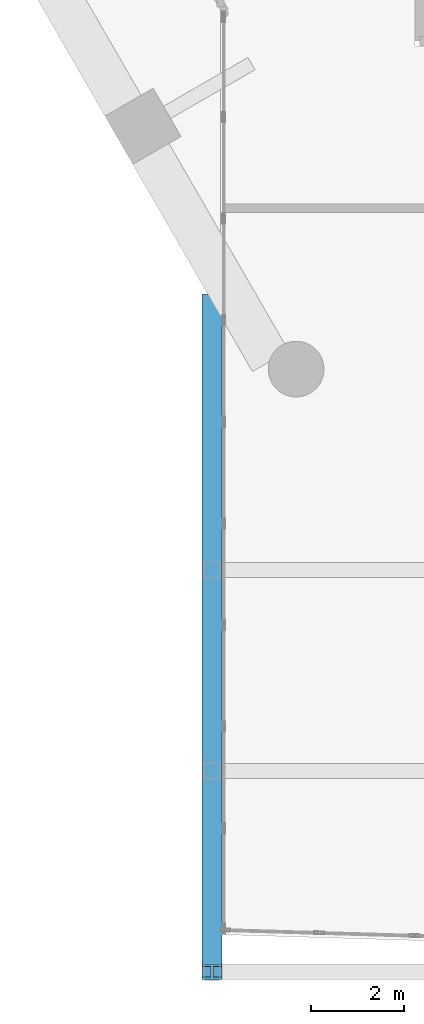
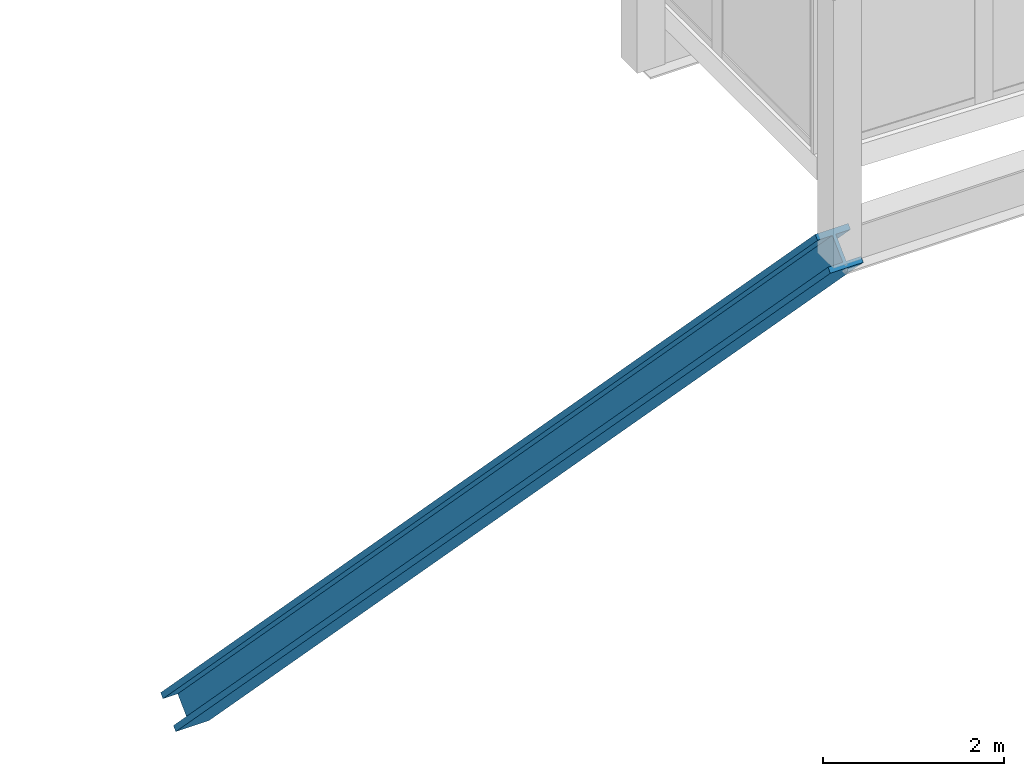
# One storey, part 3 of 37: 1 member.
"""IFC4 building model written with IfcOpenShell, lengths in metres."""

import ifcopenshell
import ifcopenshell.guid

model = None  # the IFC model being written
_history = None  # IfcOwnerHistory: only IFC2X3 demands one
_inside = {}  # id of a spatial element -> (the spatial element, [elements in it])
_under = {}  # id of a project, library or spatial element -> (it, [spatial elements below it])
_declared = {}  # id of a project -> (the project, [libraries it declares])
_typed = {}  # id of a type object -> (the type object, [elements of that type])
_made_of = {}  # id of a material, layer set ... -> (it, [elements and type objects made of it])


def new_model(schema):
    """Start an empty IFC model of exactly this schema.

    Asked for "IFC4X3", IfcOpenShell would pick the latest addendum, in which some entities
    have other attributes; the version numbers below select the first issue.
    IFC2X3 requires an IfcOwnerHistory on every rooted entity: one is made here for all.
    """
    global model, _history
    if schema == "IFC4X3":
        model = ifcopenshell.file(schema_version=(4, 3, 0, 0))
    else:
        model = ifcopenshell.file(schema=schema)
    _inside.clear()
    _under.clear()
    _declared.clear()
    _typed.clear()
    _made_of.clear()
    _history = None
    if model.schema == "IFC2X3":
        org = make("IfcOrganization", Name="unknown")
        user = make(
            "IfcPersonAndOrganization",
            ThePerson=make("IfcPerson", FamilyName="unknown"),
            TheOrganization=org,
        )
        app = make(
            "IfcApplication",
            ApplicationDeveloper=org,
            Version="unknown",
            ApplicationFullName="unknown",
            ApplicationIdentifier="unknown",
        )
        _history = make(
            "IfcOwnerHistory",
            OwningUser=user,
            OwningApplication=app,
            ChangeAction="ADDED",
            CreationDate=0,
        )
    return model


def make(cls, **values):
    """One entity of the class cls with the attributes given. An attribute that is None is left unset."""
    return model.create_entity(
        cls, **{name: value for name, value in values.items() if value is not None}
    )


def rooted(cls, **values):
    """An entity with a GlobalId (a new one), such as an element, a storey or a relation."""
    return make(cls, GlobalId=ifcopenshell.guid.new(), OwnerHistory=_history, **values)


def si_unit(unit_type, name, prefix=None):
    """IfcSIUnit, for example si_unit("LENGTHUNIT", "METRE", prefix="MILLI")."""
    return make("IfcSIUnit", UnitType=unit_type, Prefix=prefix, Name=name)


def assignment(units):
    """IfcUnitAssignment: the units of a project."""
    return None if units is None else make("IfcUnitAssignment", Units=units)


def point(xyz):
    """IfcCartesianPoint."""
    return None if xyz is None else make("IfcCartesianPoint", Coordinates=xyz)


def direction(xyz):
    """IfcDirection."""
    return None if xyz is None else make("IfcDirection", DirectionRatios=xyz)


def frame(location, z_axis=None, x_axis=None):
    """IfcAxis2Placement3D, a coordinate frame: its origin and axes. An axis left out is left unset."""
    return make(
        "IfcAxis2Placement3D",
        Location=point(location),
        Axis=direction(z_axis),
        RefDirection=direction(x_axis),
    )


def frame_2d(location, x_axis=None):
    """IfcAxis2Placement2D, a coordinate frame in the plane: its origin and x axis."""
    return make(
        "IfcAxis2Placement2D", Location=point(location), RefDirection=direction(x_axis)
    )


def origin():
    """The frame at (0, 0, 0) with its axes left unset."""
    return frame((0.0, 0.0, 0.0))


def origin_2d():
    """The frame at (0, 0) in the plane with its x axis left unset."""
    return frame_2d((0.0, 0.0))


def place(relative_to, where):
    """IfcLocalPlacement: puts the frame where relative to a parent placement (None: the world)."""
    return make(
        "IfcLocalPlacement", PlacementRelTo=relative_to, RelativePlacement=where
    )


def context(
    kind, dimensions, precision=None, world=None, true_north=None, identifier=None
):
    """IfcGeometricRepresentationContext, for example the 3D "Model" context."""
    return make(
        "IfcGeometricRepresentationContext",
        ContextIdentifier=identifier,
        ContextType=kind,
        CoordinateSpaceDimension=dimensions,
        Precision=precision,
        WorldCoordinateSystem=world,
        TrueNorth=true_north,
    )


def subcontext(parent, identifier, kind, view, scale=None):
    """IfcGeometricRepresentationSubContext, for example "Body" below "Model"."""
    return make(
        "IfcGeometricRepresentationSubContext",
        ContextIdentifier=identifier,
        ContextType=kind,
        ParentContext=parent,
        TargetScale=scale,
        TargetView=view,
    )


def project(units=None, contexts=None):
    """IfcProject with its units and contexts."""
    return rooted(
        "IfcProject",
        Name="project",
        RepresentationContexts=contexts,
        UnitsInContext=assignment(units),
    )


def spatial(cls, under=None, at=None, **own):
    """A site, building, storey or space (cls), placed at a placement, below another one or the project."""
    s = rooted(cls, ObjectPlacement=at, **own)
    if under is not None:
        _under.setdefault(under.id(), (under, []))[1].append(s)
    return s


def profile(cls, at=None, kind="AREA", **sizes):
    """A parametric profile (cls). Its sizes go by their IFC names, for example OverallWidth=200.0."""
    return make(cls, ProfileType=kind, Position=at, **sizes)


def i_section(**sizes):
    """IfcIShapeProfileDef."""
    return profile("IfcIShapeProfileDef", **sizes)


def extrude(swept, where, along, depth):
    """IfcExtrudedAreaSolid: the profile swept, set in the frame where, extruded along a direction by depth."""
    return make(
        "IfcExtrudedAreaSolid",
        SweptArea=swept,
        Position=where,
        ExtrudedDirection=direction(along),
        Depth=depth,
    )


def shape(context_of_items, identifier, shape_type, items):
    """IfcShapeRepresentation: the items that make up one representation, for example the "Body"."""
    return make(
        "IfcShapeRepresentation",
        ContextOfItems=context_of_items,
        RepresentationIdentifier=identifier,
        RepresentationType=shape_type,
        Items=items,
    )


def material(Name=None, Category=None):
    """IfcMaterial."""
    return make("IfcMaterial", Name=Name, Category=Category)


def material_profile(
    of_material, cross_section, Name=None, Category=None, Priority=None
):
    """IfcMaterialProfile: a cross section and its material."""
    return make(
        "IfcMaterialProfile",
        Name=Name,
        Material=of_material,
        Profile=cross_section,
        Priority=Priority,
        Category=Category,
    )


def profile_set(profiles, Name=None, composite=None):
    """IfcMaterialProfileSet."""
    return make(
        "IfcMaterialProfileSet",
        Name=Name,
        MaterialProfiles=profiles,
        CompositeProfile=composite,
    )


def made_of(thing, what):
    """Note that an element or type object is made of a material, layer set ...; save() writes the relation."""
    if what is not None:
        _made_of.setdefault(what.id(), (what, []))[1].append(thing)
    return thing


def type_object(cls, material=None, **own):
    """A type object (cls), such as IfcWallType, which elements share."""
    return made_of(rooted(cls, **own), material)


def element(
    cls,
    number,
    at=None,
    inside=None,
    cuts=None,
    type_object=None,
    material=None,
    context=None,
    identifier="Body",
    shape_type=None,
    held_by="IfcProductDefinitionShape",
    body=None,
    shapes=None,
    **own,
):
    """One element of the class cls, such as IfcWall. Its Tag is "e" and its number.

    at: its placement. inside: the storey or other place that contains it. cuts: it is an
    opening in that element (IfcRelVoidsElement). A single representation is given by context,
    identifier, shape_type and body (its items); several are given by shapes. held_by: the class
    of the entity that holds the representations. save() writes the other relations.
    """
    e = rooted(cls, Tag="e%d" % number, ObjectPlacement=at, **own)
    if body is not None:
        shapes = [shape(context, identifier, shape_type, body)]
    if shapes is not None:
        e.Representation = make(held_by, Representations=shapes)
    if inside is not None:
        _inside.setdefault(inside.id(), (inside, []))[1].append(e)
    if cuts is not None:
        rooted(
            "IfcRelVoidsElement", RelatingBuildingElement=cuts, RelatedOpeningElement=e
        )
    if type_object is not None:
        _typed.setdefault(type_object.id(), (type_object, []))[1].append(e)
    return made_of(e, material)


def aggregate(whole, parts):
    """IfcRelAggregates: a whole, such as a stair, and the parts it consists of."""
    return rooted("IfcRelAggregates", RelatingObject=whole, RelatedObjects=parts)


def save(model, path):
    """Write the relations noted so far, then the file.

    IfcRelAggregates (storeys below a building ...), IfcRelContainedInSpatialStructure (elements
    in a storey), IfcRelDefinesByType, IfcRelAssociatesMaterial and IfcRelDeclares: one each for
    every whole, place, type object, material and project.
    """
    for whole, parts in _under.values():
        aggregate(whole, parts)
    for where, things in _inside.values():
        rooted(
            "IfcRelContainedInSpatialStructure",
            RelatedElements=things,
            RelatingStructure=where,
        )
    for kind, things in _typed.values():
        rooted("IfcRelDefinesByType", RelatedObjects=things, RelatingType=kind)
    for what, things in _made_of.values():
        rooted("IfcRelAssociatesMaterial", RelatedObjects=things, RelatingMaterial=what)
    for by, libraries in _declared.values():
        rooted("IfcRelDeclares", RelatingContext=by, RelatedDefinitions=libraries)
    model.write(path)


model = new_model("IFC4")

# Units and contexts
model_context = context("Model", 3, precision=1e-05, world=origin(), true_north=direction((0.0, 1.0)))
body_context = subcontext(model_context, "Body", "Model", "MODEL_VIEW")
ifc_project = project(units=[si_unit("LENGTHUNIT", "METRE"), si_unit("AREAUNIT", "SQUARE_METRE"), si_unit("VOLUMEUNIT", "CUBIC_METRE"), si_unit("PLANEANGLEUNIT", "RADIAN"), si_unit("MASSUNIT", "GRAM", prefix="KILO")], contexts=[model_context])

# Site, building, storey
site_placement = place(None, origin())
site = spatial("IfcSite", under=ifc_project, at=site_placement, CompositionType="ELEMENT")
building_placement = place(site_placement, origin())
building = spatial("IfcBuilding", under=site, at=building_placement, Name="Ostrander Bayou Hotel Tower", CompositionType="ELEMENT")
storey_placement = place(building_placement, frame((0.0, 0.0, 131.0)))
storey = spatial("IfcBuildingStorey", under=building, at=storey_placement, Name="L32", CompositionType="ELEMENT", Elevation=131.0)

# Member
ifc_material = material(Name="Steel ASTM A992", Category="steel")
ifc_material_profile = material_profile(ifc_material, i_section(OverallWidth=0.42138671875, OverallDepth=0.464599609375, WebThickness=0.044921875, FlangeThickness=0.072509765625, at=origin_2d()))
ifc_profile_set = profile_set([ifc_material_profile], Name="Steel ASTM A992")
member_type = type_object("IfcMemberType", Name="TK1 bar kicker strut W14x398", PredefinedType="BRACE", material=ifc_profile_set)
member_placement = place(storey_placement, frame((-13.6201171875, -31.449951171875, -0.671875), z_axis=(0.0, 0.695266332806, -0.718752201017), x_axis=(-1.0, 0.0, 0.0)))
element("IfcMember", 1, at=member_placement, inside=storey, type_object=member_type, Name="TK1 SB3SA kicker", PredefinedType="BRACE", context=body_context, shape_type="SweptSolid", body=[
    extrude(i_section(OverallWidth=0.42138671875, OverallDepth=0.464599609375, WebThickness=0.044921875, FlangeThickness=0.072509765625, at=origin_2d()), origin(), (0.0, 0.0, 1.0), 20.76953125),
])

save(model, "model.ifc")
